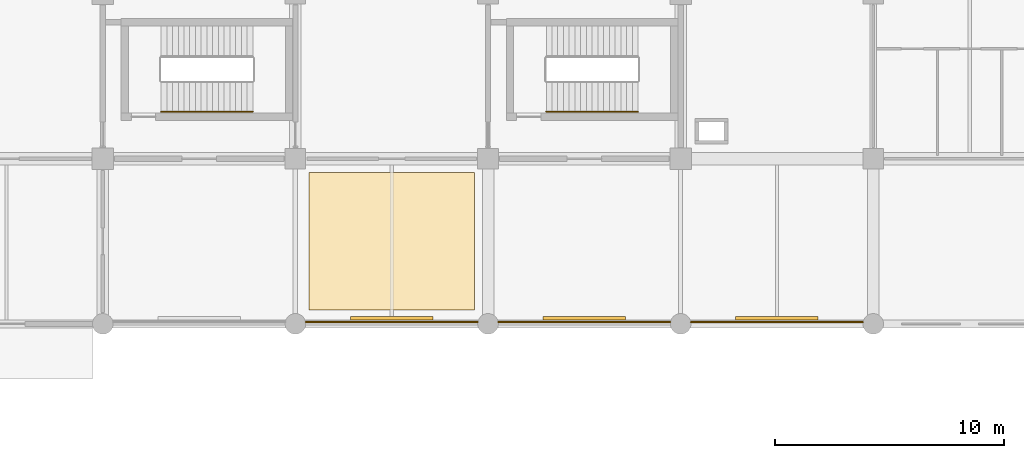
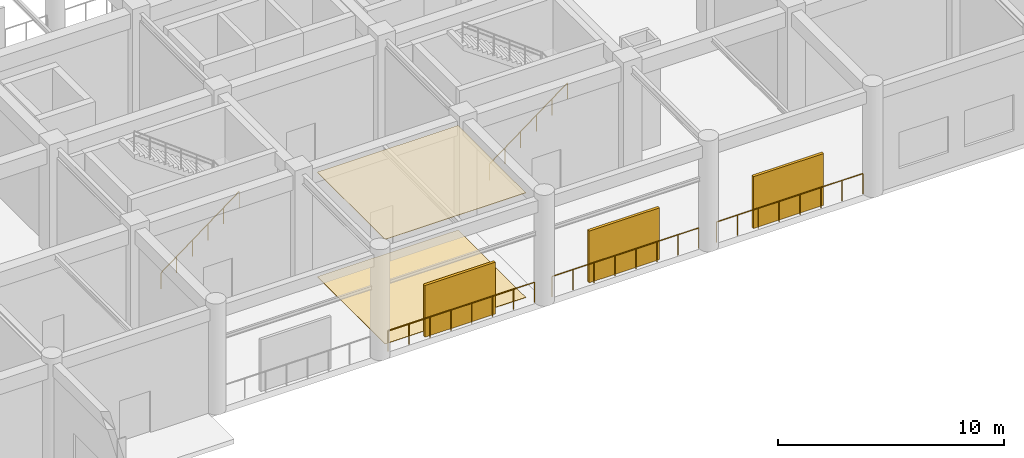
# One storey, part 33 of 39: 5 railings, 3 shading devices, 2 coverings.
"""IFC4 building model written with IfcOpenShell, lengths in metres."""

from ifc_helpers import new_model, si_unit, derived_unit, direction, frame, origin, origin_2d, place, context, subcontext, project, spatial, polyline, rectangle, circle, outline, extrude, material, layer, layer_set, type_object, element, save


model = new_model("IFC4")

# Units and contexts
model_context = context("Model", 3, precision=1e-05, world=origin(), true_north=direction((0.0, 1.0)))
body_context = subcontext(model_context, "Body", "Model", "MODEL_VIEW")
ifc_project = project(units=[si_unit("LENGTHUNIT", "METRE"), si_unit("AREAUNIT", "SQUARE_METRE"), si_unit("VOLUMEUNIT", "CUBIC_METRE"), si_unit("PLANEANGLEUNIT", "RADIAN"), si_unit("MASSUNIT", "GRAM", prefix="KILO"), derived_unit("THERMALTRANSMITTANCEUNIT", [(si_unit("MASSUNIT", "GRAM", prefix="KILO"), 1), (si_unit("TIMEUNIT", "SECOND"), -3), (si_unit("THERMODYNAMICTEMPERATUREUNIT", "KELVIN"), -1)])], contexts=[model_context])

# Site, building, storey
site_placement = place(None, origin())
site = spatial("IfcSite", under=ifc_project, at=site_placement, CompositionType="ELEMENT")
building_placement = place(site_placement, origin())
building = spatial("IfcBuilding", under=site, at=building_placement, Name="Veldstrom Oceanarium and Marine Research Institute", CompositionType="ELEMENT")
storey_placement = place(building_placement, origin())
storey = spatial("IfcBuildingStorey", under=building, at=storey_placement, Name="L00", CompositionType="ELEMENT", Elevation=0.0)

# Coverings
ifc_material_1 = material(Name="Mineral-Fibre Acoustic Ceiling Tile", Category="gypsum")
ifc_layer_1 = layer(ifc_material_1, 0.02490234375)
ifc_layer_set_1 = layer_set([ifc_layer_1], Name="ARC-COV-CL1")
covering_type_1 = type_object("IfcCoveringType", Name="ARC-COV-CL1", PredefinedType="CEILING", material=ifc_layer_set_1)
covering_1_placement = place(storey_placement, frame((0.0, 0.0, 5.64990234375)))
element("IfcCovering", 1, at=covering_1_placement, inside=storey, type_object=covering_type_1, Name="Suspended Acoustic Ceiling L00", PredefinedType="CEILING", context=body_context, shape_type="SweptSolid", body=[
    extrude(outline(polyline([(84.60009765625, 43.800048828125), (91.800048828125, 43.800048828125), (91.800048828125, 49.800048828125), (84.60009765625, 49.800048828125), (84.60009765625, 43.800048828125)])), origin(), (0.0, 0.0, 1.0), 0.025146484375),
])
ifc_material_2 = material(Name="Polished Terrazzo and Marine Epoxy Flooring", Category="concrete")
ifc_layer_2 = layer(ifc_material_2, 0.02001953125)
ifc_layer_set_2 = layer_set([ifc_layer_2], Name="ARC-COV-FL1")
covering_type_2 = type_object("IfcCoveringType", Name="ARC-COV-FL1", PredefinedType="FLOORING", material=ifc_layer_set_2)
covering_2_placement = place(storey_placement, origin())
element("IfcCovering", 2, at=covering_2_placement, inside=storey, type_object=covering_type_2, Name="Terrazzo and Marine Epoxy Floor Finish L00", PredefinedType="FLOORING", context=body_context, shape_type="SweptSolid", body=[
    extrude(outline(polyline([(84.60009765625, 43.800048828125), (91.800048828125, 43.800048828125), (91.800048828125, 49.800048828125), (84.60009765625, 49.800048828125), (84.60009765625, 43.800048828125)])), origin(), (0.0, 0.0, 1.0), 0.02001953125),
])

# Railings
ifc_material_3 = material(Name="Duplex Stainless Steel Balustrade", Category="steel")
ifc_layer_3 = layer(ifc_material_3, 0.06005859375)
ifc_layer_set_3 = layer_set([ifc_layer_3], Name="ARC-RLG-GR1")
railing_type_1 = type_object("IfcRailingType", Name="ARC-RLG-GR1", PredefinedType="GUARDRAIL", material=ifc_layer_set_3)
for number, where, name in (
    (3, (84.449951171875, 43.280029296875, 0.0), "Pilotis Breezeway Edge Guardrail L00-S10"),
    (4, (92.85009765625, 43.280029296875, 0.0), "Pilotis Breezeway Edge Guardrail L00-S11"),
    (5, (101.25, 43.280029296875, 0.0), "Pilotis Breezeway Edge Guardrail L00-S12"),
):
    element("IfcRailing", number, at=place(storey_placement, frame(where)), inside=storey, type_object=railing_type_1, Name=name, PredefinedType="GUARDRAIL", context=body_context, shape_type="SweptSolid", body=[
        extrude(circle(Radius=0.02392578125, at=origin_2d()), frame((0.0, 0.0, 1.09619140625), z_axis=(1.0, 0.0, 0.0), x_axis=(0.0, 1.0, 0.0)), (0.0, 0.0, 1.0), 7.5),
        extrude(circle(Radius=0.02099609375, at=origin_2d()), origin(), (0.0, 0.0, 1.0), 1.072021484375),
        extrude(circle(Radius=0.02099609375, at=origin_2d()), frame((1.071533203125, 0.0, 0.0)), (0.0, 0.0, 1.0), 1.072021484375),
        extrude(circle(Radius=0.02099609375, at=origin_2d()), frame((2.142822265625, 0.0, 0.0)), (0.0, 0.0, 1.0), 1.072021484375),
        extrude(circle(Radius=0.02099609375, at=origin_2d()), frame((3.21435546875, 0.0, 0.0)), (0.0, 0.0, 1.0), 1.072021484375),
        extrude(circle(Radius=0.02099609375, at=origin_2d()), frame((4.28564453125, 0.0, 0.0)), (0.0, 0.0, 1.0), 1.072021484375),
        extrude(circle(Radius=0.02099609375, at=origin_2d()), frame((5.357177734375, 0.0, 0.0)), (0.0, 0.0, 1.0), 1.072021484375),
        extrude(circle(Radius=0.02099609375, at=origin_2d()), frame((6.428466796875, 0.0, 0.0)), (0.0, 0.0, 1.0), 1.072021484375),
        extrude(circle(Radius=0.02099609375, at=origin_2d()), frame((7.5, 0.0, 0.0)), (0.0, 0.0, 1.0), 1.072021484375),
    ])
ifc_material_4 = material(Name="Brushed Stainless Steel Handrail", Category="steel")
ifc_layer_4 = layer(ifc_material_4, 0.050048828125)
ifc_layer_set_4 = layer_set([ifc_layer_4], Name="ARC-RLG-HR1")
railing_type_2 = type_object("IfcRailingType", Name="ARC-RLG-HR1", PredefinedType="HANDRAIL", material=ifc_layer_set_4)
for number, where, name in (
    (6, (78.139892578125, 52.4599609375, 0.0), "Stair Wall Handrail ST1-L00-1"),
    (7, (94.93994140625, 52.4599609375, 0.0), "Stair Wall Handrail ST2-L00-1"),
):
    element("IfcRailing", number, at=place(storey_placement, frame(where)), inside=storey, type_object=railing_type_2, Name=name, PredefinedType="HANDRAIL", context=body_context, shape_type="SweptSolid", body=[
        extrude(circle(Radius=0.02392578125, at=origin_2d()), frame((0.0, 0.0, 0.8759765625), z_axis=(0.8, 0.0, 0.6), x_axis=(0.0, 1.0, 0.0)), (0.0, 0.0, 1.0), 5.0),
        extrude(circle(Radius=0.02099609375, at=origin_2d()), origin(), (0.0, 0.0, 1.0), 0.851806640625),
        extrude(circle(Radius=0.02099609375, at=origin_2d()), frame((0.800048828125, 0.0, 0.60009765625)), (0.0, 0.0, 1.0), 0.851806640625),
        extrude(circle(Radius=0.02099609375, at=origin_2d()), frame((1.60009765625, 0.0, 1.199951171875)), (0.0, 0.0, 1.0), 0.851806640625),
        extrude(circle(Radius=0.02099609375, at=origin_2d()), frame((2.39990234375, 0.0, 1.800048828125)), (0.0, 0.0, 1.0), 0.851806640625),
        extrude(circle(Radius=0.02099609375, at=origin_2d()), frame((3.199951171875, 0.0, 2.39990234375)), (0.0, 0.0, 1.0), 0.851806640625),
        extrude(circle(Radius=0.02099609375, at=origin_2d()), frame((4.0, 0.0, 3.0)), (0.0, 0.0, 1.0), 0.851806640625),
    ])

# Shading devices
ifc_material_5 = material(Name="Precast GRC Claustra Sun-Screen", Category="concrete")
ifc_layer_5 = layer(ifc_material_5, 2.800048828125)
ifc_layer_set_5 = layer_set([ifc_layer_5], Name="ARC-SHD-CL01")
shading_device_type = type_object("IfcShadingDeviceType", Name="ARC-SHD-CL01", PredefinedType="SHUTTER", material=ifc_layer_set_5)
for number, where, z_axis, x_axis, name in (
    (8, (88.199951171875, 43.449951171875, 0.0), (0.0, 0.0, 1.0), (1.0, 0.0, 0.0), "Precast GRC Claustra Sun-Screen L00-S2"),
    (9, (96.60009765625, 43.449951171875, 0.0), (0.0, 0.0, 1.0), (1.0, 0.0, 0.0), "Precast GRC Claustra Sun-Screen L00-S3"),
    (10, (105.0, 43.449951171875, 0.0), (0.0, 0.0, 1.0), (1.0, 0.0, 0.0), "Precast GRC Claustra Sun-Screen L00-S4"),
):
    element("IfcShadingDevice", number, at=place(storey_placement, frame(where, z_axis=z_axis, x_axis=x_axis)), inside=storey, type_object=shading_device_type, Name=name, PredefinedType="SHUTTER", context=body_context, shape_type="SweptSolid", body=[
        extrude(rectangle(XDim=3.60009765625, YDim=0.139892578125, at=origin_2d()), origin(), (0.0, 0.0, 1.0), 2.800048828125),
    ])

save(model, "model.ifc")
